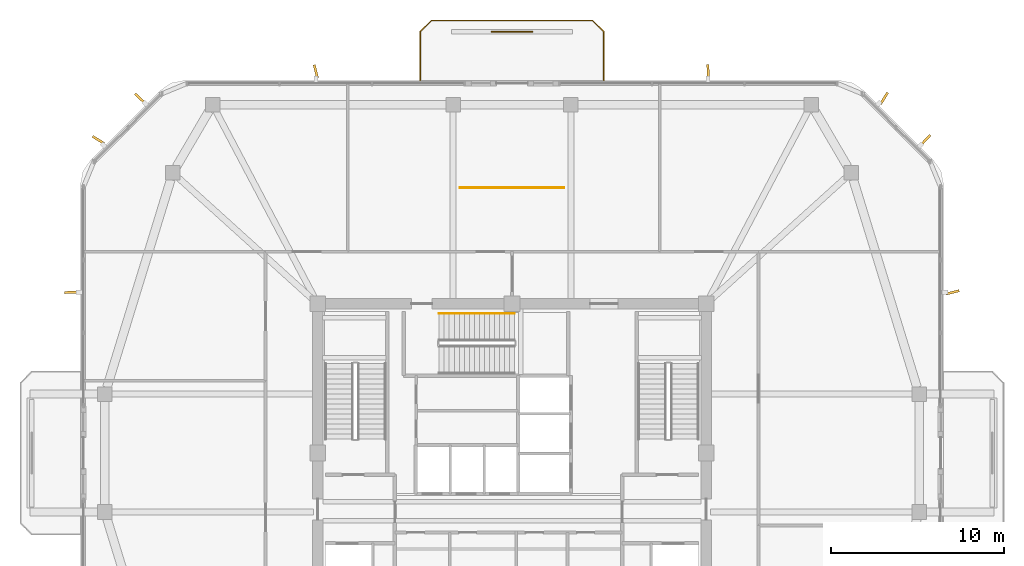
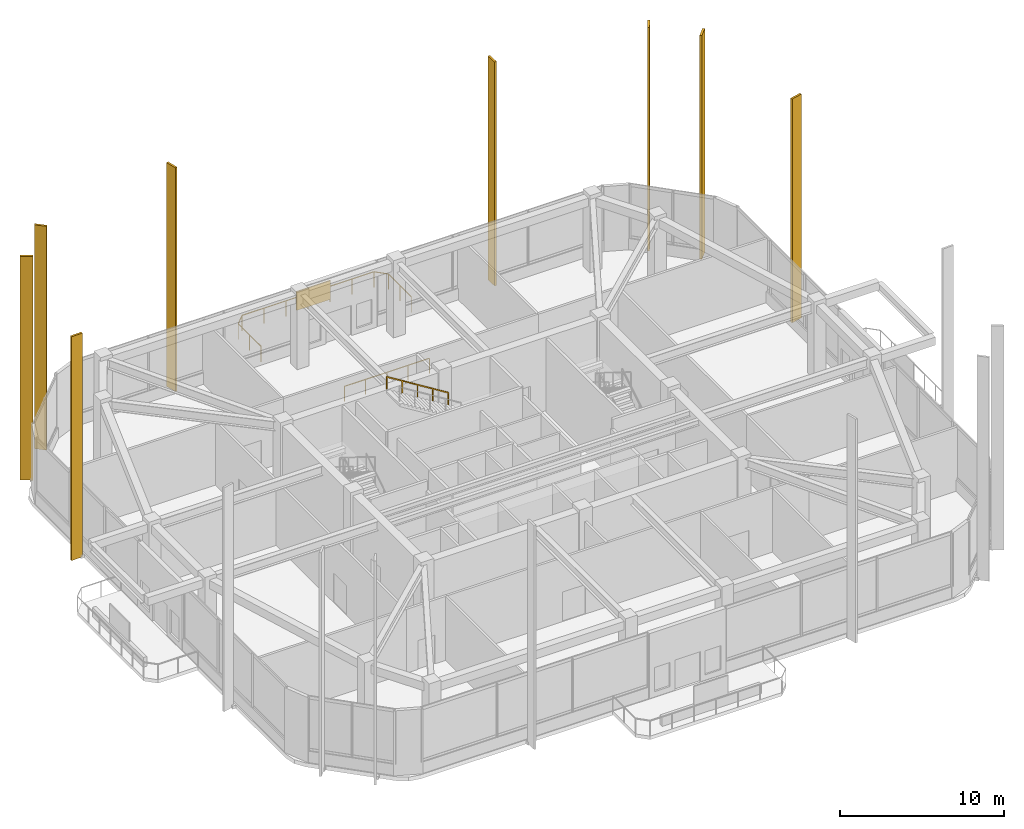
# One storey, part 14 of 14: 9 shading devices, 3 railings.
"""IFC4 building model written with IfcOpenShell, lengths in metres."""

from ifc_helpers import new_model, si_unit, derived_unit, direction, frame, origin, origin_2d, place, context, subcontext, project, spatial, rectangle, extrude, material, layer, layer_set, type_object, element, save


model = new_model("IFC4")

# Units and contexts
model_context = context("Model", 3, precision=1e-05, world=origin(), true_north=direction((0.0, 1.0)))
body_context = subcontext(model_context, "Body", "Model", "MODEL_VIEW")
ifc_project = project(units=[si_unit("LENGTHUNIT", "METRE"), si_unit("AREAUNIT", "SQUARE_METRE"), si_unit("VOLUMEUNIT", "CUBIC_METRE"), si_unit("PLANEANGLEUNIT", "RADIAN"), si_unit("MASSUNIT", "GRAM", prefix="KILO"), derived_unit("THERMALTRANSMITTANCEUNIT", [(si_unit("POWERUNIT", "WATT"), 1), (si_unit("LENGTHUNIT", "METRE"), -2), (si_unit("THERMODYNAMICTEMPERATUREUNIT", "KELVIN"), -1)])], contexts=[model_context])

# Site, building, storey
site_placement = place(None, origin())
site = spatial("IfcSite", under=ifc_project, at=site_placement, CompositionType="ELEMENT")
building_placement = place(site_placement, origin())
building = spatial("IfcBuilding", under=site, at=building_placement, Name="Koralith Skygarden Medical Center", CompositionType="ELEMENT")
storey_placement = place(building_placement, frame((0.0, 0.0, 237.06005859375)))
storey = spatial("IfcBuildingStorey", under=building, at=storey_placement, Name="L61", CompositionType="ELEMENT", Elevation=237.06005859375)

# Railing
ifc_material_1 = material(Name="Clear Laminated Glass", Category="glass")
railing_type_1 = type_object("IfcRailingType", Name="Atrium & Sky-Lobby Glass Balustrade 1150", PredefinedType="BALUSTRADE", material=ifc_material_1)
railing_1_placement = place(storey_placement, frame((34.0, 41.199951171875, 0.0)))
element("IfcRailing", 1, at=railing_1_placement, inside=storey, type_object=railing_type_1, Name="L61 Sky-Lobby Conservatory Gallery Balustrade", PredefinedType="BALUSTRADE", context=body_context, shape_type="SweptSolid", body=[
    extrude(rectangle(XDim=0.050048828125, YDim=0.050048828125, at=origin_2d()), frame((0.001953125, 0.0, 1.125), z_axis=(1.0, 0.0, 0.0), x_axis=(0.0, 1.0, 0.0)), (0.0, 0.0, 1.0), 5.99609375),
    extrude(rectangle(XDim=0.0419921875, YDim=0.0419921875, at=origin_2d()), origin(), (0.0, 0.0, 1.0), 1.097900390625),
    extrude(rectangle(XDim=0.0419921875, YDim=0.0419921875, at=origin_2d()), frame((1.5, 0.0, 0.0)), (0.0, 0.0, 1.0), 1.097900390625),
    extrude(rectangle(XDim=0.0419921875, YDim=0.0419921875, at=origin_2d()), frame((3.0, 0.0, 0.0)), (0.0, 0.0, 1.0), 1.097900390625),
    extrude(rectangle(XDim=0.0419921875, YDim=0.0419921875, at=origin_2d()), frame((4.5, 0.0, 0.0)), (0.0, 0.0, 1.0), 1.097900390625),
    extrude(rectangle(XDim=0.0419921875, YDim=0.0419921875, at=origin_2d()), frame((6.0, 0.0, 0.0)), (0.0, 0.0, 1.0), 1.097900390625),
])

# Shading devices
ifc_material_2 = material(Name="Aluminium 6063-T6", Category="aluminium")
shading_device_type_1 = type_object("IfcShadingDeviceType", Name="Limestone-Clad Solar Storm Fin 780", PredefinedType="USERDEFINED", material=ifc_material_2)
for number, where, z_axis, x_axis, name in (
    (2, (62.409912109375, 35.169921875, -0.199951171875), (0.0, 0.0, 1.0), (0.970996733432, 0.239092751175, 0.0), "L61 E Harmonic Solar Storm Fin 2"),
    (3, (60.860107421875, 43.9619140625, -0.199951171875), (0.0, 0.0, 1.0), (0.679850990334, 0.733350278476, 0.0), "L61 NE Harmonic Solar Storm Fin 1"),
    (4, (58.4619140625, 46.360107421875, -0.199951171875), (0.0, 0.0, 1.0), (0.517534269031, 0.855662480408, 0.0), "L61 NE Harmonic Solar Storm Fin 2"),
    (5, (48.31005859375, 47.909912109375, -0.199951171875), (0.0, 0.0, 1.0), (-0.037829709434, 0.999284200358, 0.0), "L61 N Harmonic Solar Storm Fin 1"),
    (6, (25.68994140625, 47.909912109375, -0.199951171875), (0.0, 0.0, 1.0), (-0.239092751175, 0.970996733432, 0.0), "L61 N Harmonic Solar Storm Fin 2"),
    (7, (15.5380859375, 46.360107421875, -0.199951171875), (0.0, 0.0, 1.0), (-0.733350278476, 0.679850990334, 0.0), "L61 NW Harmonic Solar Storm Fin 1"),
    (8, (13.139892578125, 43.9619140625, -0.199951171875), (0.0, 0.0, 1.0), (-0.855662480408, 0.517534269031, 0.0), "L61 NW Harmonic Solar Storm Fin 2"),
    (9, (11.590087890625, 35.169921875, -0.199951171875), (0.0, 0.0, 1.0), (-0.999284200358, -0.037829709434, 0.0), "L61 W Harmonic Solar Storm Fin 1"),
):
    element("IfcShadingDevice", number, at=place(storey_placement, frame(where, z_axis=z_axis, x_axis=x_axis)), inside=storey, type_object=shading_device_type_1, Name=name, ObjectType="SOLAR FIN", PredefinedType="USERDEFINED", context=body_context, shape_type="SweptSolid", body=[
        extrude(rectangle(XDim=0.780029296875, YDim=0.139892578125, at=origin_2d()), origin(), (0.0, 0.0, 1.0), 16.7099609375),
    ])

# Railing
ifc_material_3 = material(Name="Steel ASTM A500 Grade C", Category="steel")
railing_type_2 = type_object("IfcRailingType", Name="Outdoor Terrace & Balcony Safety Guardrail 1180", PredefinedType="GUARDRAIL", material=ifc_material_3)
railing_2_placement = place(storey_placement, frame((42.300048828125, 47.39990234375, 0.0)))
element("IfcRailing", 10, at=railing_2_placement, inside=storey, type_object=railing_type_2, Name="L61 N Balcony Perimeter Guardrail", PredefinedType="GUARDRAIL", context=body_context, shape_type="SweptSolid", body=[
    extrude(rectangle(XDim=0.050048828125, YDim=0.050048828125, at=origin_2d()), frame((0.0, 0.001953125, 1.15478515625), z_axis=(0.0, 1.0, 0.0), x_axis=(-1.0, 0.0, 0.0)), (0.0, 0.0, 1.0), 2.796142578125),
    extrude(rectangle(XDim=0.050048828125, YDim=0.050048828125, at=origin_2d()), frame((-0.00146484375, 2.801513671875, 1.15478515625), z_axis=(-0.707106781187, 0.707106781187, 0.0), x_axis=(-0.707106781187, -0.707106781187, 0.0)), (0.0, 0.0, 1.0), 0.91552734375),
    extrude(rectangle(XDim=0.050048828125, YDim=0.050048828125, at=origin_2d()), frame((-0.652099609375, 3.4501953125, 1.15478515625), z_axis=(-1.0, 0.0, 0.0), x_axis=(0.0, -1.0, 0.0)), (0.0, 0.0, 1.0), 9.2958984375),
    extrude(rectangle(XDim=0.050048828125, YDim=0.050048828125, at=origin_2d()), frame((-9.951416015625, 3.44873046875, 1.15478515625), z_axis=(-0.707106781187, -0.707106781187, 0.0), x_axis=(0.707106781187, -0.707106781187, 0.0)), (0.0, 0.0, 1.0), 0.91552734375),
    extrude(rectangle(XDim=0.050048828125, YDim=0.050048828125, at=origin_2d()), frame((-10.60009765625, 2.798095703125, 1.15478515625), z_axis=(0.0, -1.0, 0.0), x_axis=(1.0, 0.0, 0.0)), (0.0, 0.0, 1.0), 2.796142578125),
    extrude(rectangle(XDim=0.0419921875, YDim=0.0419921875, at=origin_2d()), origin(), (0.0, 0.0, 1.0), 1.1279296875),
    extrude(rectangle(XDim=0.0419921875, YDim=0.0419921875, at=origin_2d()), frame((0.0, 1.39990234375, 0.0)), (0.0, 0.0, 1.0), 1.1279296875),
    extrude(rectangle(XDim=0.0419921875, YDim=0.0419921875, at=origin_2d()), frame((0.0, 2.800048828125, 0.0)), (0.0, 0.0, 1.0), 1.1279296875),
    extrude(rectangle(XDim=0.0419921875, YDim=0.0419921875, at=origin_2d()), frame((-0.650146484375, 3.4501953125, 0.0)), (0.0, 0.0, 1.0), 1.1279296875),
    extrude(rectangle(XDim=0.0419921875, YDim=0.0419921875, at=origin_2d()), frame((-2.2001953125, 3.4501953125, 0.0)), (0.0, 0.0, 1.0), 1.1279296875),
    extrude(rectangle(XDim=0.0419921875, YDim=0.0419921875, at=origin_2d()), frame((-3.75, 3.4501953125, 0.0)), (0.0, 0.0, 1.0), 1.1279296875),
    extrude(rectangle(XDim=0.0419921875, YDim=0.0419921875, at=origin_2d()), frame((-5.300048828125, 3.4501953125, 0.0)), (0.0, 0.0, 1.0), 1.1279296875),
    extrude(rectangle(XDim=0.0419921875, YDim=0.0419921875, at=origin_2d()), frame((-6.85009765625, 3.4501953125, 0.0)), (0.0, 0.0, 1.0), 1.1279296875),
    extrude(rectangle(XDim=0.0419921875, YDim=0.0419921875, at=origin_2d()), frame((-8.39990234375, 3.4501953125, 0.0)), (0.0, 0.0, 1.0), 1.1279296875),
    extrude(rectangle(XDim=0.0419921875, YDim=0.0419921875, at=origin_2d()), frame((-9.949951171875, 3.4501953125, 0.0)), (0.0, 0.0, 1.0), 1.1279296875),
    extrude(rectangle(XDim=0.0419921875, YDim=0.0419921875, at=origin_2d()), frame((-10.60009765625, 2.800048828125, 0.0)), (0.0, 0.0, 1.0), 1.1279296875),
    extrude(rectangle(XDim=0.0419921875, YDim=0.0419921875, at=origin_2d()), frame((-10.60009765625, 1.39990234375, 0.0)), (0.0, 0.0, 1.0), 1.1279296875),
    extrude(rectangle(XDim=0.0419921875, YDim=0.0419921875, at=origin_2d()), frame((-10.60009765625, 0.0, 0.0)), (0.0, 0.0, 1.0), 1.1279296875),
])

# Shading device
ifc_layer = layer(ifc_material_2, 0.080078125)
ifc_layer_set = layer_set([ifc_layer], Name="Aluminium 6063-T6")
shading_device_type_2 = type_object("IfcShadingDeviceType", Name="Perforated Biophilic Balcony Trellis Screen", PredefinedType="USERDEFINED", material=ifc_layer_set)
shading_device_placement = place(storey_placement, frame((37.0, 50.199951171875, 0.719970703125), z_axis=(0.0, 0.0, 1.0), x_axis=(1.0, 0.0, 0.0)))
element("IfcShadingDevice", 11, at=shading_device_placement, inside=storey, type_object=shading_device_type_2, Name="L61 N Biophilic Balcony Trellis Screen", ObjectType="HURRICANE SCREEN", PredefinedType="USERDEFINED", context=body_context, shape_type="SweptSolid", body=[
    extrude(rectangle(XDim=2.39990234375, YDim=0.080078125, at=origin_2d()), origin(), (0.0, 0.0, 1.0), 1.39990234375),
])

# Railing
railing_type_3 = type_object("IfcRailingType", Name="Stair Flight Tubular Handrail 920", PredefinedType="HANDRAIL", material=ifc_material_3)
railing_3_placement = place(storey_placement, frame((37.14990234375, 33.949951171875, 3.06005859375)))
element("IfcRailing", 12, at=railing_3_placement, inside=storey, type_object=railing_type_3, Name="L61 ST3 stair handrail 2", PredefinedType="HANDRAIL", context=body_context, shape_type="SweptSolid", body=[
    extrude(rectangle(XDim=0.050048828125, YDim=0.050048828125, at=origin_2d()), frame((-0.001708984375, 0.0, 0.89599609375), z_axis=(-0.849636482215, 0.0, 0.527368797038), x_axis=(0.0, -1.0, 0.0)), (0.0, 0.0, 1.0), 5.11572265625),
    extrude(rectangle(XDim=0.0419921875, YDim=0.0419921875, at=origin_2d()), origin(), (0.0, 0.0, 1.0), 0.867919921875),
    extrude(rectangle(XDim=0.0419921875, YDim=0.0419921875, at=origin_2d()), frame((-1.08740234375, 0.0, 0.675048828125)), (0.0, 0.0, 1.0), 0.867919921875),
    extrude(rectangle(XDim=0.0419921875, YDim=0.0419921875, at=origin_2d()), frame((-2.1748046875, 0.0, 1.35009765625)), (0.0, 0.0, 1.0), 0.867919921875),
    extrude(rectangle(XDim=0.0419921875, YDim=0.0419921875, at=origin_2d()), frame((-3.262451171875, 0.0, 2.02490234375)), (0.0, 0.0, 1.0), 0.867919921875),
    extrude(rectangle(XDim=0.0419921875, YDim=0.0419921875, at=origin_2d()), frame((-4.349853515625, 0.0, 2.699951171875)), (0.0, 0.0, 1.0), 0.867919921875),
])

save(model, "model.ifc")
